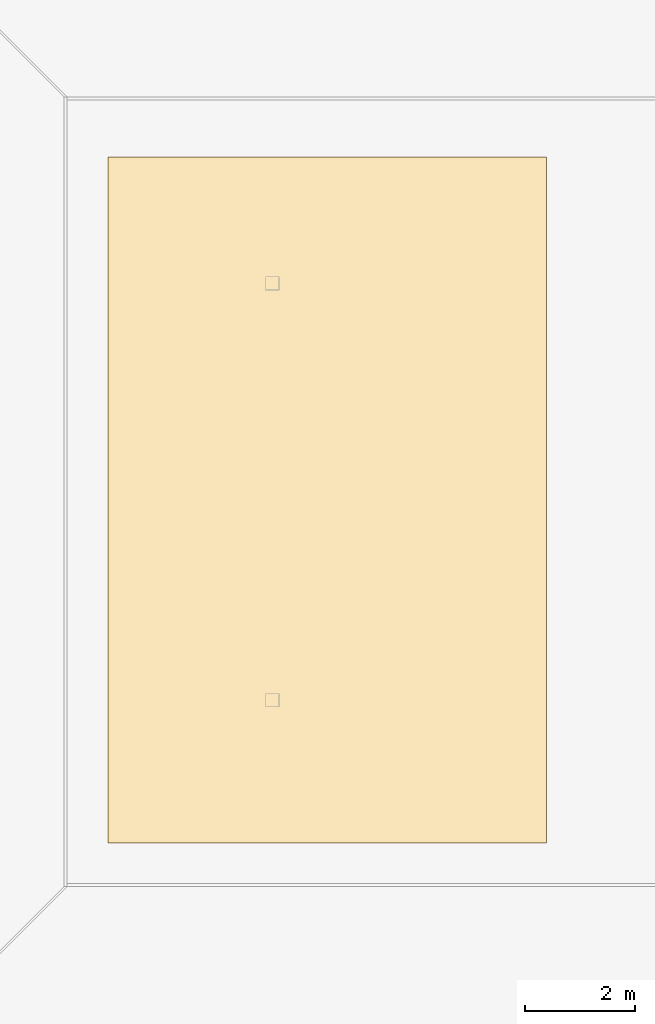
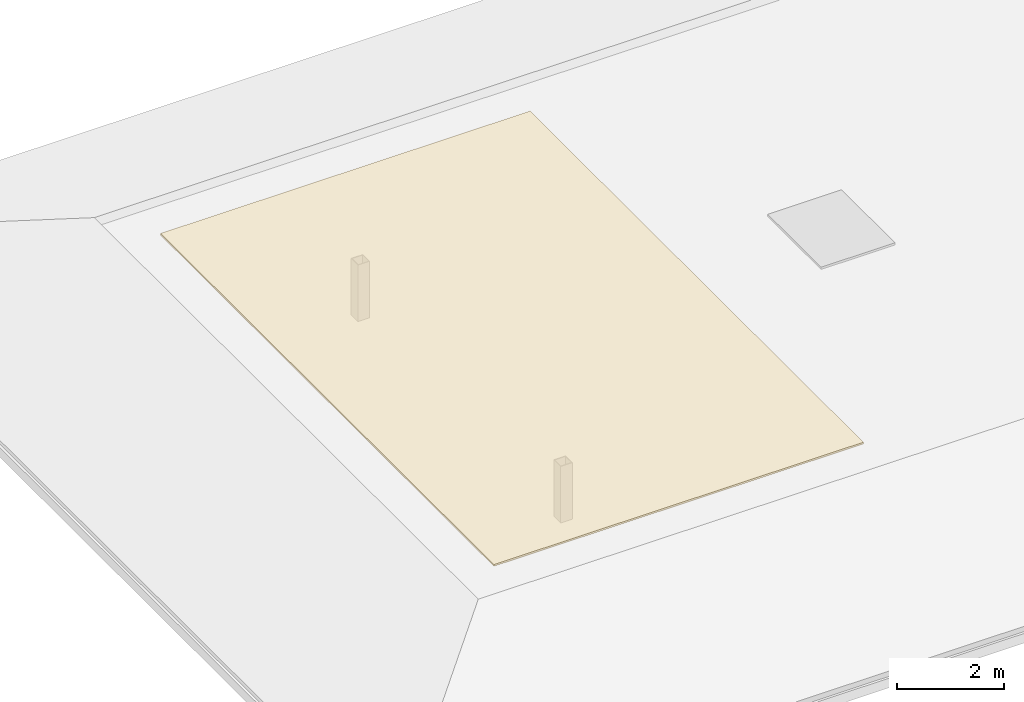
# One storey, part 30 of 32: 1 covering.
"""IFC4 building model written with IfcOpenShell, lengths in metres."""

from ifc_helpers import new_model, si_unit, direction, frame, origin, place, context, subcontext, project, spatial, polyline, outline, extrude, material, layer, layer_set, type_object, element, save


model = new_model("IFC4")

# Units and contexts
model_context = context("Model", 3, precision=1e-05, world=origin(), true_north=direction((0.0, 1.0)))
body_context = subcontext(model_context, "Body", "Model", "MODEL_VIEW")
ifc_project = project(units=[si_unit("LENGTHUNIT", "METRE"), si_unit("AREAUNIT", "SQUARE_METRE"), si_unit("VOLUMEUNIT", "CUBIC_METRE"), si_unit("PLANEANGLEUNIT", "RADIAN"), si_unit("MASSUNIT", "GRAM", prefix="KILO")], contexts=[model_context])

# Site, building, storey
site_placement = place(None, origin())
site = spatial("IfcSite", under=ifc_project, at=site_placement, CompositionType="ELEMENT")
building_placement = place(site_placement, origin())
building = spatial("IfcBuilding", under=site, at=building_placement, Name="Zantavel Square City Hall", CompositionType="ELEMENT")
storey_placement = place(building_placement, frame((0.0, 0.0, 23.699951171875)))
storey = spatial("IfcBuildingStorey", under=building, at=storey_placement, Name="L06", CompositionType="ELEMENT", Elevation=23.699951171875)

# Covering
ifc_material = material(Name="Patinated copper-zinc standing seam", Category="aluminium")
ifc_layer = layer(ifc_material, 0.0400390625, Name="Patinated copper-zinc standing seam")
ifc_layer_set = layer_set([ifc_layer], Name="Patinated copper-zinc standing seam")
covering_type = type_object("IfcCoveringType", Name="Patinated Copper-Zinc Standing Seam Roofing 40mm", PredefinedType="ROOFING", material=ifc_layer_set)
covering_placement = place(storey_placement, frame((0.0, 0.0, 1.512939453125)))
element("IfcCovering", 1, at=covering_placement, inside=storey, type_object=covering_type, Name="L06 Copper-Zinc Standing Seam Roof Panel COV-CUZN-V5W", PredefinedType="ROOFING", context=body_context, shape_type="SweptSolid", body=[
    extrude(outline(polyline([(29.0, 81.0), (37.0, 81.0), (37.0, 93.5), (29.0, 93.5), (29.0, 81.0)])), origin(), (0.0, 0.0, 1.0), 0.0400390625),
])

save(model, "model.ifc")
